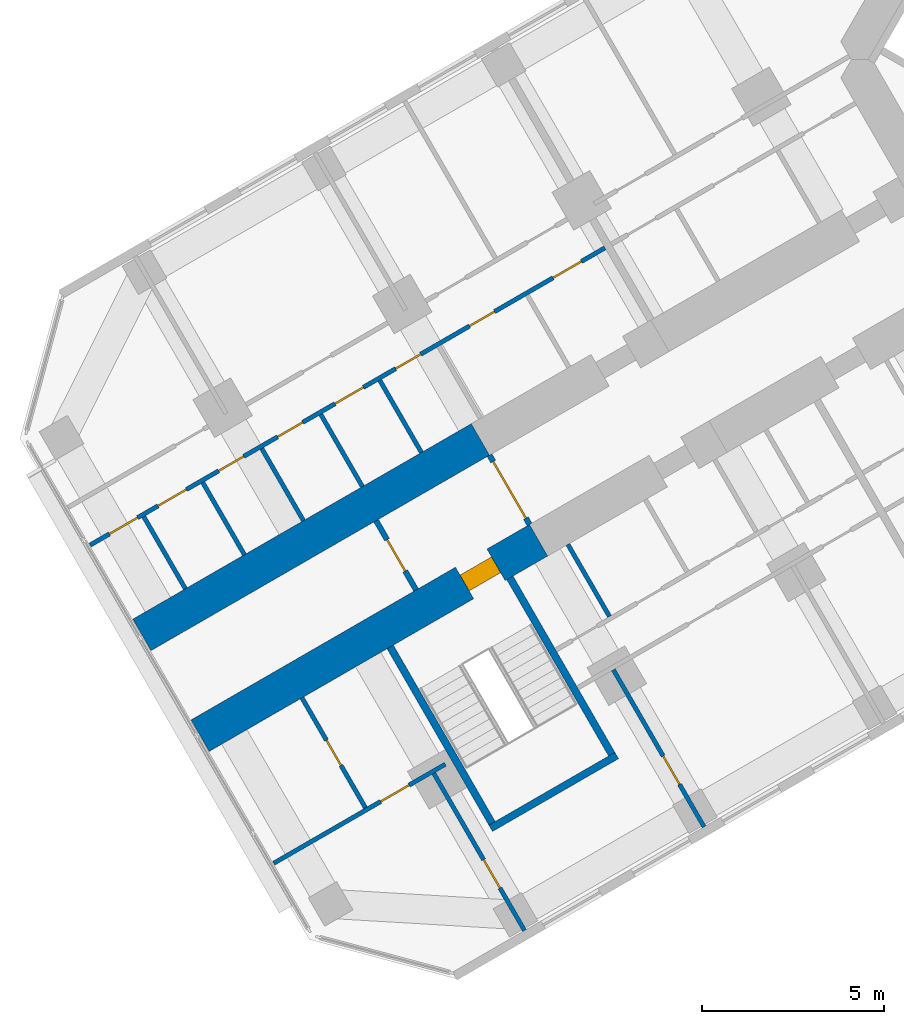
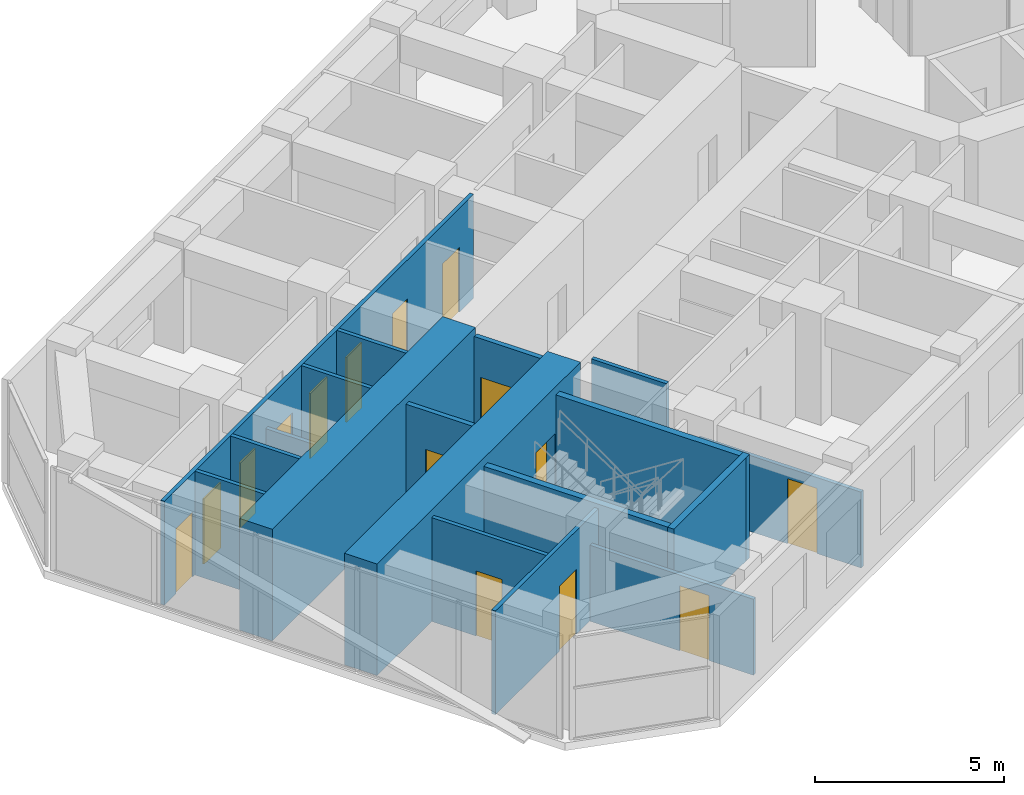
# One storey, part 10 of 21: 18 walls, 15 doors, 15 openings.
"""IFC4 building model written with IfcOpenShell, lengths in metres."""

from ifc_helpers import new_model, si_unit, direction, frame, frame_2d, origin, place, context, subcontext, project, spatial, rectangle, extrude, material, layer, layer_set, type_object, element, fill, save


model = new_model("IFC4")

# Units and contexts
model_context = context("Model", 3, precision=1e-05, world=origin(), true_north=direction((0.0, 1.0)))
body_context = subcontext(model_context, "Body", "Model", "MODEL_VIEW")
ifc_project = project(units=[si_unit("LENGTHUNIT", "METRE"), si_unit("AREAUNIT", "SQUARE_METRE"), si_unit("VOLUMEUNIT", "CUBIC_METRE"), si_unit("PLANEANGLEUNIT", "RADIAN"), si_unit("MASSUNIT", "GRAM", prefix="KILO")], contexts=[model_context])

# Site, building, storey
site_placement = place(None, origin())
site = spatial("IfcSite", under=ifc_project, at=site_placement, CompositionType="ELEMENT")
building_placement = place(site_placement, origin())
building = spatial("IfcBuilding", under=site, at=building_placement, Name="Kosmar Iwan School Tower", CompositionType="ELEMENT")
storey_placement = place(building_placement, frame((0.0, 0.0, 88.0)))
storey = spatial("IfcBuildingStorey", under=building, at=storey_placement, Name="L21", CompositionType="ELEMENT", Elevation=88.0)

# Wall, opening, door
ifc_material_1 = material(Name="Concrete C50/60", Category="concrete")
ifc_layer_1 = layer(ifc_material_1, 1.0)
ifc_layer_set_1 = layer_set([ifc_layer_1], Name="Corridor buttress wall 1000")
wall_type_1 = type_object("IfcWallType", Name="Corridor buttress wall 1000", PredefinedType="SHEAR", material=ifc_layer_set_1)
wall_1_placement = place(storey_placement, frame((-19.681396484375, -13.210693359375, 0.0), z_axis=(0.0, 0.0, 1.0), x_axis=(-0.866028186671, -0.499995179869, 0.0)))
wall_1 = element("IfcWall", 1, at=wall_1_placement, inside=storey, type_object=wall_type_1, Name="Corridor wall BL bay 3", PredefinedType="SHEAR", context=body_context, shape_type="SweptSolid", body=[
    extrude(rectangle(XDim=10.7451171875, YDim=1.0, at=frame_2d((5.37255859375, 0.0))), origin(), (0.0, 0.0, 1.0), 3.60009765625),
])
opening_1_placement = place(wall_1_placement, frame((1.35009765625, 0.0, 0.0)))
opening_1 = element("IfcOpeningElement", 2, at=opening_1_placement, cuts=wall_1, Name="Opening D6", PredefinedType="OPENING", context=body_context, shape_type="SweptSolid", body=[
    extrude(rectangle(XDim=1.0, YDim=2.10009765625, at=frame_2d((0.5, 1.050048828125))), frame((0.0, 0.511962890625, 0.0), z_axis=(0.0, -1.0, 0.0), x_axis=(1.0, 0.0, 0.0)), (0.0, 0.0, 1.0), 1.02392578125),
])
ifc_material_2 = material(Name="Steel fire door", Category="steel")
door_type_1 = type_object("IfcDoorType", Name="Stair door 1000x2100", OperationType="SINGLE_SWING_LEFT", PredefinedType="DOOR", material=ifc_material_2)
door_1_placement = place(opening_1_placement, origin())
door_1 = element("IfcDoor", 3, at=door_1_placement, inside=storey, type_object=door_type_1, Name="Stair WS2 door L21", OperationType="SINGLE_SWING_LEFT", OverallHeight=2.10009765625, OverallWidth=1.0, PredefinedType="DOOR", context=body_context, shape_type="SweptSolid", body=[
    extrude(rectangle(XDim=1.0, YDim=2.10009765625, at=frame_2d((0.5, 1.050048828125))), frame((0.0, 0.25, 0.0), z_axis=(0.0, -1.0, 0.0), x_axis=(1.0, 0.0, 0.0)), (0.0, 0.0, 1.0), 0.5),
])
fill(opening_1, door_1)

# Wall
wall_2_placement = place(storey_placement, frame((-21.281494140625, -10.439453125, 0.0), z_axis=(0.0, 0.0, 1.0), x_axis=(-0.866032345022, -0.499987977232, 0.0)))
element("IfcWall", 4, at=wall_2_placement, inside=storey, type_object=wall_type_1, Name="Corridor wall BR bay 3", PredefinedType="SHEAR", context=body_context, shape_type="SweptSolid", body=[
    extrude(rectangle(XDim=10.744873046875, YDim=1.0, at=frame_2d((5.37255859375, 0.0))), origin(), (0.0, 0.0, 1.0), 3.60009765625),
])

# Wall, opening, door
ifc_material_3 = material(Name="Gypsum board on steel studs, fire-rated", Category="steel")
ifc_layer_2 = layer(ifc_material_3, 0.14990234375)
ifc_layer_set_2 = layer_set([ifc_layer_2], Name="Corridor end wall 150")
wall_type_2 = type_object("IfcWallType", Name="Corridor end wall 150", PredefinedType="PARTITIONING", material=ifc_layer_set_2)
wall_3_placement = place(storey_placement, frame((-24.149169921875, -12.67236328125, 0.0), z_axis=(0.0, 0.0, 1.0), x_axis=(0.50002983664, -0.866008176907, 0.0)))
wall_3 = element("IfcWall", 5, at=wall_3_placement, inside=storey, type_object=wall_type_2, Name="Partition L21-B-CE", PredefinedType="PARTITIONING", context=body_context, shape_type="SweptSolid", body=[
    extrude(rectangle(XDim=2.199951171875, YDim=0.14990234375, at=frame_2d((1.10009765625, 0.0))), origin(), (0.0, 0.0, 1.0), 3.35009765625),
])
opening_2_placement = place(wall_3_placement, frame((0.60009765625, 0.0, 0.0)))
opening_2 = element("IfcOpeningElement", 6, at=opening_2_placement, cuts=wall_3, Name="Opening D13", PredefinedType="OPENING", context=body_context, shape_type="SweptSolid", body=[
    extrude(rectangle(XDim=1.0, YDim=2.10009765625, at=frame_2d((0.5, 1.050048828125))), frame((0.0, 0.0869140625, 0.0), z_axis=(0.0, -1.0, 0.0), x_axis=(1.0, 0.0, 0.0)), (0.0, 0.0, 1.0), 0.173828125),
])
ifc_material_4 = material(Name="Timber fire door with vision panel", Category="wood")
door_type_2 = type_object("IfcDoorType", Name="Corridor end door 1000x2100", OperationType="SINGLE_SWING_LEFT", PredefinedType="DOOR", material=ifc_material_4)
door_2_placement = place(opening_2_placement, origin())
door_2 = element("IfcDoor", 7, at=door_2_placement, inside=storey, type_object=door_type_2, Name="Reading room door L21-B", OperationType="SINGLE_SWING_RIGHT", OverallHeight=2.10009765625, OverallWidth=1.0, PredefinedType="DOOR", context=body_context, shape_type="SweptSolid", body=[
    extrude(rectangle(XDim=1.0, YDim=2.10009765625, at=frame_2d((0.5, 1.050048828125))), frame((0.0, 0.02490234375, 0.0), z_axis=(0.0, -1.0, 0.0), x_axis=(1.0, 0.0, 0.0)), (0.0, 0.0, 1.0), 0.050048828125),
])
fill(opening_2, door_2)

wall_4_placement = place(storey_placement, frame((-21.031494140625, -10.872314453125, 0.0), z_axis=(0.0, 0.0, 1.0), x_axis=(0.50002983664, -0.866008176907, 0.0)))
wall_4 = element("IfcWall", 8, at=wall_4_placement, inside=storey, type_object=wall_type_2, Name="Partition L21-B-HW", PredefinedType="PARTITIONING", context=body_context, shape_type="SweptSolid", body=[
    extrude(rectangle(XDim=2.199951171875, YDim=0.14990234375, at=frame_2d((1.10009765625, 0.0))), origin(), (0.0, 0.0, 1.0), 3.35009765625),
])
opening_3_placement = place(wall_4_placement, frame((0.199951171875, 0.0, 0.0)))
opening_3 = element("IfcOpeningElement", 9, at=opening_3_placement, cuts=wall_4, Name="Opening D9", PredefinedType="OPENING", context=body_context, shape_type="SweptSolid", body=[
    extrude(rectangle(XDim=1.800048828125, YDim=2.10009765625, at=frame_2d((0.89990234375, 1.050048828125))), frame((0.0, 0.0869140625, 0.0), z_axis=(0.0, -1.0, 0.0), x_axis=(1.0, 0.0, 0.0)), (0.0, 0.0, 1.0), 0.173828125),
])
ifc_material_5 = material(Name="Steel framed glazed smoke door", Category="steel")
door_type_3 = type_object("IfcDoorType", Name="Corridor smoke door pair 1800x2100", OperationType="DOUBLE_DOOR_DOUBLE_SWING", PredefinedType="DOOR", material=ifc_material_5)
door_3_placement = place(opening_3_placement, origin())
door_3 = element("IfcDoor", 10, at=door_3_placement, inside=storey, type_object=door_type_3, Name="Entrance vestibule smoke doors L21-B", OperationType="DOUBLE_DOOR_DOUBLE_SWING", OverallHeight=2.10009765625, OverallWidth=1.800048828125, PredefinedType="DOOR", context=body_context, shape_type="SweptSolid", body=[
    extrude(rectangle(XDim=1.800048828125, YDim=2.10009765625, at=frame_2d((0.89990234375, 1.050048828125))), frame((0.0, 0.02490234375, 0.0), z_axis=(0.0, -1.0, 0.0), x_axis=(1.0, 0.0, 0.0)), (0.0, 0.0, 1.0), 0.050048828125),
])
fill(opening_3, door_3)

# Wall
ifc_material_6 = material(Name="Gypsum board on steel studs", Category="steel")
ifc_layer_3 = layer(ifc_material_6, 0.1201171875)
ifc_layer_set_3 = layer_set([ifc_layer_3], Name="Dwelling partition 120")
wall_type_3 = type_object("IfcWallType", Name="Dwelling partition 120", PredefinedType="PARTITIONING", material=ifc_layer_set_3)
wall_5_placement = place(storey_placement, frame((-18.877197265625, -13.32373046875, 0.0), z_axis=(0.0, 0.0, 1.0), x_axis=(0.500014693593, -0.866016920268, 0.0)))
element("IfcWall", 11, at=wall_5_placement, inside=storey, type_object=wall_type_3, Name="Partition L21-BL2-Y4", PredefinedType="PARTITIONING", context=body_context, shape_type="SweptSolid", body=[
    extrude(rectangle(XDim=2.2900390625, YDim=0.1201171875, at=frame_2d((1.14501953125, 0.0))), origin(), (0.0, 0.0, 1.0), 3.35009765625),
])

# Wall, opening, door
wall_6_placement = place(storey_placement, frame((-17.62646484375, -16.77001953125, 0.0), z_axis=(0.0, 0.0, 1.0), x_axis=(0.499975153383, -0.86603974851, 0.0)))
wall_6 = element("IfcWall", 12, at=wall_6_placement, inside=storey, type_object=wall_type_3, Name="Partition L21-BL2-TB", PredefinedType="PARTITIONING", context=body_context, shape_type="SweptSolid", body=[
    extrude(rectangle(XDim=4.989990234375, YDim=0.1201171875, at=frame_2d((2.4951171875, 0.0))), origin(), (0.0, 0.0, 1.0), 2.449951171875),
])
opening_4_placement = place(wall_6_placement, frame((2.739990234375, 0.0, 0.0)))
opening_4 = element("IfcOpeningElement", 13, at=opening_4_placement, cuts=wall_6, Name="Opening D2", PredefinedType="OPENING", context=body_context, shape_type="SweptSolid", body=[
    extrude(rectangle(XDim=0.89990234375, YDim=2.10009765625, at=frame_2d((0.449951171875, 1.050048828125))), frame((0.0, 0.072021484375, 0.0), z_axis=(0.0, -1.0, 0.0), x_axis=(1.0, 0.0, 0.0)), (0.0, 0.0, 1.0), 0.14404296875),
])
ifc_material_7 = material(Name="Timber door in timber frame", Category="wood")
door_type_4 = type_object("IfcDoorType", Name="Internal door 900x2100", OperationType="SINGLE_SWING_LEFT", PredefinedType="DOOR", material=ifc_material_7)
door_4_placement = place(opening_4_placement, origin())
door_4 = element("IfcDoor", 14, at=door_4_placement, inside=storey, type_object=door_type_4, Name="Study door L21-BL2-F2", OperationType="SINGLE_SWING_RIGHT", OverallHeight=2.10009765625, OverallWidth=0.89990234375, PredefinedType="DOOR", context=body_context, shape_type="SweptSolid", body=[
    extrude(rectangle(XDim=0.89990234375, YDim=2.10009765625, at=frame_2d((0.449951171875, 1.050048828125))), frame((0.0, 0.02490234375, 0.0), z_axis=(0.0, -1.0, 0.0), x_axis=(1.0, 0.0, 0.0)), (0.0, 0.0, 1.0), 0.050048828125),
])
fill(opening_4, door_4)

wall_7_placement = place(storey_placement, frame((-22.562744140625, -19.6201171875, 0.0), z_axis=(0.0, 0.0, 1.0), x_axis=(0.499996339024, -0.86602751744, 0.0)))
wall_7 = element("IfcWall", 15, at=wall_7_placement, inside=storey, type_object=wall_type_3, Name="Partition L21-BL2-TX", PredefinedType="PARTITIONING", context=body_context, shape_type="SweptSolid", body=[
    extrude(rectangle(XDim=4.98974609375, YDim=0.1201171875, at=frame_2d((2.494873046875, 0.0))), origin(), (0.0, 0.0, 1.0), 2.449951171875),
])
opening_5_placement = place(wall_7_placement, frame((2.739990234375, 0.0, 0.0)))
opening_5 = element("IfcOpeningElement", 16, at=opening_5_placement, cuts=wall_7, Name="Opening D2", PredefinedType="OPENING", context=body_context, shape_type="SweptSolid", body=[
    extrude(rectangle(XDim=0.89990234375, YDim=2.10009765625, at=frame_2d((0.449951171875, 1.050048828125))), frame((0.0, 0.072021484375, 0.0), z_axis=(0.0, -1.0, 0.0), x_axis=(1.0, 0.0, 0.0)), (0.0, 0.0, 1.0), 0.14404296875),
])
door_5_placement = place(opening_5_placement, origin())
door_5 = element("IfcDoor", 17, at=door_5_placement, inside=storey, type_object=door_type_4, Name="Study door L21-BL2-T1", OperationType="SINGLE_SWING_RIGHT", OverallHeight=2.10009765625, OverallWidth=0.89990234375, PredefinedType="DOOR", context=body_context, shape_type="SweptSolid", body=[
    extrude(rectangle(XDim=0.89990234375, YDim=2.10009765625, at=frame_2d((0.449951171875, 1.050048828125))), frame((0.0, 0.02490234375, 0.0), z_axis=(0.0, -1.0, 0.0), x_axis=(1.0, 0.0, 0.0)), (0.0, 0.0, 1.0), 0.050048828125),
])
fill(opening_5, door_5)

wall_8_placement = place(storey_placement, frame((-22.246337890625, -19.3681640625, 0.0), z_axis=(0.0, 0.0, 1.0), x_axis=(-0.866035508231, -0.499982498177, 0.0)))
wall_8 = element("IfcWall", 18, at=wall_8_placement, inside=storey, type_object=wall_type_3, Name="Partition L21-BL2-TW", PredefinedType="PARTITIONING", context=body_context, shape_type="SweptSolid", body=[
    extrude(rectangle(XDim=5.445068359375, YDim=0.1201171875, at=frame_2d((2.72265625, 0.0))), origin(), (0.0, 0.0, 1.0), 3.35009765625),
])
opening_6_placement = place(wall_8_placement, frame((1.14990234375, 0.0, 0.0)))
opening_6 = element("IfcOpeningElement", 19, at=opening_6_placement, cuts=wall_8, Name="Opening D2", PredefinedType="OPENING", context=body_context, shape_type="SweptSolid", body=[
    extrude(rectangle(XDim=0.89990234375, YDim=2.10009765625, at=frame_2d((0.449951171875, 1.050048828125))), frame((0.0, 0.072021484375, 0.0), z_axis=(0.0, -1.0, 0.0), x_axis=(1.0, 0.0, 0.0)), (0.0, 0.0, 1.0), 0.14404296875),
])
door_6_placement = place(opening_6_placement, origin())
door_6 = element("IfcDoor", 20, at=door_6_placement, inside=storey, type_object=door_type_4, Name="Dressing room door L21-BL2-T3", OperationType="SINGLE_SWING_LEFT", OverallHeight=2.10009765625, OverallWidth=0.89990234375, PredefinedType="DOOR", context=body_context, shape_type="SweptSolid", body=[
    extrude(rectangle(XDim=0.89990234375, YDim=2.10009765625, at=frame_2d((0.449951171875, 1.050048828125))), frame((0.0, 0.02490234375, 0.0), z_axis=(0.0, -1.0, 0.0), x_axis=(1.0, 0.0, 0.0)), (0.0, 0.0, 1.0), 0.050048828125),
])
fill(opening_6, door_6)

wall_9_placement = place(storey_placement, frame((-26.1865234375, -17.543701171875, 0.0), z_axis=(0.0, 0.0, 1.0), x_axis=(0.50002117804, -0.866013176292, 0.0)))
wall_9 = element("IfcWall", 21, at=wall_9_placement, inside=storey, type_object=wall_type_3, Name="Partition L21-BL2-TY", PredefinedType="PARTITIONING", context=body_context, shape_type="SweptSolid", body=[
    extrude(rectangle(XDim=3.489990234375, YDim=0.1201171875, at=frame_2d((1.7451171875, 0.0))), origin(), (0.0, 0.0, 1.0), 3.35009765625),
])
opening_7_placement = place(wall_9_placement, frame((1.344970703125, 0.0, 0.0)))
opening_7 = element("IfcOpeningElement", 22, at=opening_7_placement, cuts=wall_9, Name="Opening D3", PredefinedType="OPENING", context=body_context, shape_type="SweptSolid", body=[
    extrude(rectangle(XDim=0.800048828125, YDim=2.10009765625, at=frame_2d((0.39990234375, 1.050048828125))), frame((0.0, 0.072021484375, 0.0), z_axis=(0.0, -1.0, 0.0), x_axis=(1.0, 0.0, 0.0)), (0.0, 0.0, 1.0), 0.14404296875),
])
ifc_material_8 = material(Name="Timber door in timber frame", Category="wood")
door_type_5 = type_object("IfcDoorType", Name="Sanitary room door 800x2100", OperationType="SINGLE_SWING_LEFT", PredefinedType="DOOR", material=ifc_material_8)
door_7_placement = place(opening_7_placement, origin())
door_7 = element("IfcDoor", 23, at=door_7_placement, inside=storey, type_object=door_type_5, Name="Shower room door L21-BL2-T4", OperationType="SINGLE_SWING_RIGHT", OverallHeight=2.10009765625, OverallWidth=0.800048828125, PredefinedType="DOOR", context=body_context, shape_type="SweptSolid", body=[
    extrude(rectangle(XDim=0.800048828125, YDim=2.10009765625, at=frame_2d((0.39990234375, 1.050048828125))), frame((0.0, 0.02490234375, 0.0), z_axis=(0.0, -1.0, 0.0), x_axis=(1.0, 0.0, 0.0)), (0.0, 0.0, 1.0), 0.050048828125),
])
fill(opening_7, door_7)

# Wall, openings, doors
wall_10_placement = place(storey_placement, frame((-17.856689453125, -5.171142578125, 0.0), z_axis=(0.0, 0.0, 1.0), x_axis=(-0.866023907196, -0.500002592159, 0.0)))
wall_10 = element("IfcWall", 24, at=wall_10_placement, inside=storey, type_object=wall_type_3, Name="Partition L21-BR2-W1", PredefinedType="PARTITIONING", context=body_context, shape_type="SweptSolid", body=[
    extrude(rectangle(XDim=16.34521484375, YDim=0.1201171875, at=frame_2d((8.172607421875, 0.0))), origin(), (0.0, 0.0, 1.0), 3.35009765625),
])
opening_8_placement = place(wall_10_placement, frame((0.75, 0.0, 0.0)))
opening_8 = element("IfcOpeningElement", 25, at=opening_8_placement, cuts=wall_10, Name="Opening D2", PredefinedType="OPENING", context=body_context, shape_type="SweptSolid", body=[
    extrude(rectangle(XDim=0.89990234375, YDim=2.10009765625, at=frame_2d((0.449951171875, 1.050048828125))), frame((0.0, 0.072021484375, 0.0), z_axis=(0.0, -1.0, 0.0), x_axis=(1.0, 0.0, 0.0)), (0.0, 0.0, 1.0), 0.14404296875),
])
opening_9_placement = place(wall_10_placement, frame((3.505126953125, 0.0, 0.0)))
opening_9 = element("IfcOpeningElement", 26, at=opening_9_placement, cuts=wall_10, Name="Opening D3", PredefinedType="OPENING", context=body_context, shape_type="SweptSolid", body=[
    extrude(rectangle(XDim=0.800048828125, YDim=2.10009765625, at=frame_2d((0.39990234375, 1.050048828125))), frame((0.0, 0.072021484375, 0.0), z_axis=(0.0, -1.0, 0.0), x_axis=(1.0, 0.0, 0.0)), (0.0, 0.0, 1.0), 0.14404296875),
])
opening_10_placement = place(wall_10_placement, frame((5.8466796875, 0.0, 0.0)))
opening_10 = element("IfcOpeningElement", 27, at=opening_10_placement, cuts=wall_10, Name="Opening D3", PredefinedType="OPENING", context=body_context, shape_type="SweptSolid", body=[
    extrude(rectangle(XDim=0.800048828125, YDim=2.10009765625, at=frame_2d((0.39990234375, 1.050048828125))), frame((0.0, 0.072021484375, 0.0), z_axis=(0.0, -1.0, 0.0), x_axis=(1.0, 0.0, 0.0)), (0.0, 0.0, 1.0), 0.14404296875),
])
opening_11_placement = place(wall_10_placement, frame((7.669921875, 0.0, 0.0)))
opening_11 = element("IfcOpeningElement", 28, at=opening_11_placement, cuts=wall_10, Name="Opening D2", PredefinedType="OPENING", context=body_context, shape_type="SweptSolid", body=[
    extrude(rectangle(XDim=0.89990234375, YDim=2.10009765625, at=frame_2d((0.449951171875, 1.050048828125))), frame((0.0, 0.072021484375, 0.0), z_axis=(0.0, -1.0, 0.0), x_axis=(1.0, 0.0, 0.0)), (0.0, 0.0, 1.0), 0.14404296875),
])
opening_12_placement = place(wall_10_placement, frame((9.59326171875, 0.0, 0.0)))
opening_12 = element("IfcOpeningElement", 29, at=opening_12_placement, cuts=wall_10, Name="Opening D3", PredefinedType="OPENING", context=body_context, shape_type="SweptSolid", body=[
    extrude(rectangle(XDim=0.800048828125, YDim=2.10009765625, at=frame_2d((0.39990234375, 1.050048828125))), frame((0.0, 0.072021484375, 0.0), z_axis=(0.0, -1.0, 0.0), x_axis=(1.0, 0.0, 0.0)), (0.0, 0.0, 1.0), 0.14404296875),
])
opening_13_placement = place(wall_10_placement, frame((11.466796875, 0.0, 0.0)))
opening_13 = element("IfcOpeningElement", 30, at=opening_13_placement, cuts=wall_10, Name="Opening D3", PredefinedType="OPENING", context=body_context, shape_type="SweptSolid", body=[
    extrude(rectangle(XDim=0.800048828125, YDim=2.10009765625, at=frame_2d((0.39990234375, 1.050048828125))), frame((0.0, 0.072021484375, 0.0), z_axis=(0.0, -1.0, 0.0), x_axis=(1.0, 0.0, 0.0)), (0.0, 0.0, 1.0), 0.14404296875),
])
opening_14_placement = place(wall_10_placement, frame((13.2900390625, 0.0, 0.0)))
opening_14 = element("IfcOpeningElement", 31, at=opening_14_placement, cuts=wall_10, Name="Opening D2", PredefinedType="OPENING", context=body_context, shape_type="SweptSolid", body=[
    extrude(rectangle(XDim=0.89990234375, YDim=2.10009765625, at=frame_2d((0.449951171875, 1.050048828125))), frame((0.0, 0.072021484375, 0.0), z_axis=(0.0, -1.0, 0.0), x_axis=(1.0, 0.0, 0.0)), (0.0, 0.0, 1.0), 0.14404296875),
])
opening_15_placement = place(wall_10_placement, frame((14.836669921875, 0.0, 0.0)))
opening_15 = element("IfcOpeningElement", 32, at=opening_15_placement, cuts=wall_10, Name="Opening D2", PredefinedType="OPENING", context=body_context, shape_type="SweptSolid", body=[
    extrude(rectangle(XDim=0.89990234375, YDim=2.10009765625, at=frame_2d((0.449951171875, 1.050048828125))), frame((0.0, 0.072021484375, 0.0), z_axis=(0.0, -1.0, 0.0), x_axis=(1.0, 0.0, 0.0)), (0.0, 0.0, 1.0), 0.14404296875),
])
door_8_placement = place(opening_8_placement, origin())
door_8 = element("IfcDoor", 33, at=door_8_placement, inside=storey, type_object=door_type_4, Name="Entrance hall door L21-BR2-S1", OperationType="SINGLE_SWING_LEFT", OverallHeight=2.10009765625, OverallWidth=0.89990234375, PredefinedType="DOOR", context=body_context, shape_type="SweptSolid", body=[
    extrude(rectangle(XDim=0.89990234375, YDim=2.10009765625, at=frame_2d((0.449951171875, 1.050048828125))), frame((0.0, 0.02490234375, 0.0), z_axis=(0.0, -1.0, 0.0), x_axis=(1.0, 0.0, 0.0)), (0.0, 0.0, 1.0), 0.050048828125),
])
fill(opening_8, door_8)
door_9_placement = place(opening_11_placement, origin())
door_9 = element("IfcDoor", 34, at=door_9_placement, inside=storey, type_object=door_type_4, Name="Pantry door L21-BR2-S4", OperationType="SINGLE_SWING_RIGHT", OverallHeight=2.10009765625, OverallWidth=0.89990234375, PredefinedType="DOOR", context=body_context, shape_type="SweptSolid", body=[
    extrude(rectangle(XDim=0.89990234375, YDim=2.10009765625, at=frame_2d((0.449951171875, 1.050048828125))), frame((0.0, 0.02490234375, 0.0), z_axis=(0.0, -1.0, 0.0), x_axis=(1.0, 0.0, 0.0)), (0.0, 0.0, 1.0), 0.050048828125),
])
fill(opening_11, door_9)
door_10_placement = place(opening_14_placement, origin())
door_10 = element("IfcDoor", 35, at=door_10_placement, inside=storey, type_object=door_type_4, Name="Utility room door L21-BR2-S7", OperationType="SINGLE_SWING_LEFT", OverallHeight=2.10009765625, OverallWidth=0.89990234375, PredefinedType="DOOR", context=body_context, shape_type="SweptSolid", body=[
    extrude(rectangle(XDim=0.89990234375, YDim=2.10009765625, at=frame_2d((0.449951171875, 1.050048828125))), frame((0.0, 0.02490234375, 0.0), z_axis=(0.0, -1.0, 0.0), x_axis=(1.0, 0.0, 0.0)), (0.0, 0.0, 1.0), 0.050048828125),
])
fill(opening_14, door_10)
door_11_placement = place(opening_15_placement, origin())
door_11 = element("IfcDoor", 36, at=door_11_placement, inside=storey, type_object=door_type_4, Name="Dressing room door L21-BR2-S8", OperationType="SINGLE_SWING_LEFT", OverallHeight=2.10009765625, OverallWidth=0.89990234375, PredefinedType="DOOR", context=body_context, shape_type="SweptSolid", body=[
    extrude(rectangle(XDim=0.89990234375, YDim=2.10009765625, at=frame_2d((0.449951171875, 1.050048828125))), frame((0.0, 0.02490234375, 0.0), z_axis=(0.0, -1.0, 0.0), x_axis=(1.0, 0.0, 0.0)), (0.0, 0.0, 1.0), 0.050048828125),
])
fill(opening_15, door_11)
door_12_placement = place(opening_9_placement, origin())
door_12 = element("IfcDoor", 37, at=door_12_placement, inside=storey, type_object=door_type_5, Name="Bathroom door L21-BR2-S2", OperationType="SINGLE_SWING_RIGHT", OverallHeight=2.10009765625, OverallWidth=0.800048828125, PredefinedType="DOOR", context=body_context, shape_type="SweptSolid", body=[
    extrude(rectangle(XDim=0.800048828125, YDim=2.10009765625, at=frame_2d((0.39990234375, 1.050048828125))), frame((0.0, 0.02490234375, 0.0), z_axis=(0.0, -1.0, 0.0), x_axis=(1.0, 0.0, 0.0)), (0.0, 0.0, 1.0), 0.050048828125),
])
fill(opening_9, door_12)
door_13_placement = place(opening_10_placement, origin())
door_13 = element("IfcDoor", 38, at=door_13_placement, inside=storey, type_object=door_type_5, Name="Shower room door L21-BR2-S3", OperationType="SINGLE_SWING_LEFT", OverallHeight=2.10009765625, OverallWidth=0.800048828125, PredefinedType="DOOR", context=body_context, shape_type="SweptSolid", body=[
    extrude(rectangle(XDim=0.800048828125, YDim=2.10009765625, at=frame_2d((0.39990234375, 1.050048828125))), frame((0.0, 0.02490234375, 0.0), z_axis=(0.0, -1.0, 0.0), x_axis=(1.0, 0.0, 0.0)), (0.0, 0.0, 1.0), 0.050048828125),
])
fill(opening_10, door_13)
door_14_placement = place(opening_12_placement, origin())
door_14 = element("IfcDoor", 39, at=door_14_placement, inside=storey, type_object=door_type_5, Name="WC door L21-BR2-S5", OperationType="SINGLE_SWING_LEFT", OverallHeight=2.10009765625, OverallWidth=0.800048828125, PredefinedType="DOOR", context=body_context, shape_type="SweptSolid", body=[
    extrude(rectangle(XDim=0.800048828125, YDim=2.10009765625, at=frame_2d((0.39990234375, 1.050048828125))), frame((0.0, 0.02490234375, 0.0), z_axis=(0.0, -1.0, 0.0), x_axis=(1.0, 0.0, 0.0)), (0.0, 0.0, 1.0), 0.050048828125),
])
fill(opening_12, door_14)
door_15_placement = place(opening_13_placement, origin())
door_15 = element("IfcDoor", 40, at=door_15_placement, inside=storey, type_object=door_type_5, Name="Store door L21-BR2-S6", OperationType="SINGLE_SWING_RIGHT", OverallHeight=2.10009765625, OverallWidth=0.800048828125, PredefinedType="DOOR", context=body_context, shape_type="SweptSolid", body=[
    extrude(rectangle(XDim=0.800048828125, YDim=2.10009765625, at=frame_2d((0.39990234375, 1.050048828125))), frame((0.0, 0.02490234375, 0.0), z_axis=(0.0, -1.0, 0.0), x_axis=(1.0, 0.0, 0.0)), (0.0, 0.0, 1.0), 0.050048828125),
])
fill(opening_13, door_15)

# Walls
wall_11_placement = place(storey_placement, frame((-22.902587890625, -10.798095703125, 0.0), z_axis=(0.0, 0.0, 1.0), x_axis=(-0.499968531483, 0.866043571379, 0.0)))
element("IfcWall", 41, at=wall_11_placement, inside=storey, type_object=wall_type_3, Name="Partition L21-BR2-Y3", PredefinedType="PARTITIONING", context=body_context, shape_type="SweptSolid", body=[
    extrude(rectangle(XDim=2.290283203125, YDim=0.1201171875, at=frame_2d((1.14501953125, 0.0))), origin(), (0.0, 0.0, 1.0), 3.35009765625),
])
wall_12_placement = place(storey_placement, frame((-24.525146484375, -11.734619140625, 0.0), z_axis=(0.0, 0.0, 1.0), x_axis=(-0.500014693593, 0.866016920268, 0.0)))
element("IfcWall", 42, at=wall_12_placement, inside=storey, type_object=wall_type_3, Name="Partition L21-BR2-Y4", PredefinedType="PARTITIONING", context=body_context, shape_type="SweptSolid", body=[
    extrude(rectangle(XDim=2.2900390625, YDim=0.1201171875, at=frame_2d((1.14501953125, 0.0))), origin(), (0.0, 0.0, 1.0), 3.35009765625),
])
wall_13_placement = place(storey_placement, frame((-26.1474609375, -12.67138671875, 0.0), z_axis=(0.0, 0.0, 1.0), x_axis=(-0.500014693593, 0.866016920268, 0.0)))
element("IfcWall", 43, at=wall_13_placement, inside=storey, type_object=wall_type_3, Name="Partition L21-BR2-Y5", PredefinedType="PARTITIONING", context=body_context, shape_type="SweptSolid", body=[
    extrude(rectangle(XDim=2.2900390625, YDim=0.1201171875, at=frame_2d((1.14501953125, 0.0))), origin(), (0.0, 0.0, 1.0), 2.449951171875),
])
for number, where, z_axis, x_axis, name in (
    (44, (-27.769775390625, -13.60791015625, 0.0), (0.0, 0.0, 1.0), (-0.500014693593, 0.866016920268, 0.0), "Partition L21-BR2-Y6"),
    (45, (-29.39208984375, -14.544677734375, 0.0), (0.0, 0.0, 1.0), (-0.500014693593, 0.866016920268, 0.0), "Partition L21-BR2-Y7"),
):
    element("IfcWall", number, at=place(storey_placement, frame(where, z_axis=z_axis, x_axis=x_axis)), inside=storey, type_object=wall_type_3, Name=name, PredefinedType="PARTITIONING", context=body_context, shape_type="SweptSolid", body=[
        extrude(rectangle(XDim=2.2900390625, YDim=0.1201171875, at=frame_2d((1.14501953125, 0.0))), origin(), (0.0, 0.0, 1.0), 3.35009765625),
    ])
ifc_material_9 = material(Name="Concrete C35/45", Category="concrete")
ifc_layer_4 = layer(ifc_material_9, 0.199951171875)
ifc_layer_set_4 = layer_set([ifc_layer_4], Name="Escape stair wall 200")
wall_type_4 = type_object("IfcWallType", Name="Escape stair wall 200", PredefinedType="SHEAR", material=ifc_layer_set_4)
for number, where, z_axis, x_axis, name in (
    (46, (-20.470703125, -14.24365234375, 0.0), (0.0, 0.0, 1.0), (0.499987231761, -0.866032775405, 0.0), "Stair WS2 wall"),
    (47, (-23.76171875, -16.1435546875, 0.0), (0.0, 0.0, 1.0), (0.500018801468, -0.86601454848, 0.0), "Stair WS2 wall"),
):
    element("IfcWall", number, at=place(storey_placement, frame(where, z_axis=z_axis, x_axis=x_axis)), inside=storey, type_object=wall_type_4, Name=name, PredefinedType="SHEAR", context=body_context, shape_type="SweptSolid", body=[
        extrude(rectangle(XDim=5.800048828125, YDim=0.199951171875, at=frame_2d((2.89990234375, 0.0))), origin(), (0.0, 0.0, 1.0), 3.330078125),
    ])
wall_14_placement = place(storey_placement, frame((-17.5341796875, -19.1298828125, 0.0), z_axis=(0.0, 0.0, 1.0), x_axis=(-0.866026010844, -0.49999894854, 0.0)))
element("IfcWall", 48, at=wall_14_placement, inside=storey, type_object=wall_type_4, Name="Stair WS2 wall", PredefinedType="SHEAR", context=body_context, shape_type="SweptSolid", body=[
    extrude(rectangle(XDim=4.0, YDim=0.199951171875, at=frame_2d((2.0, 0.0))), origin(), (0.0, 0.0, 1.0), 3.330078125),
])

save(model, "model.ifc")
